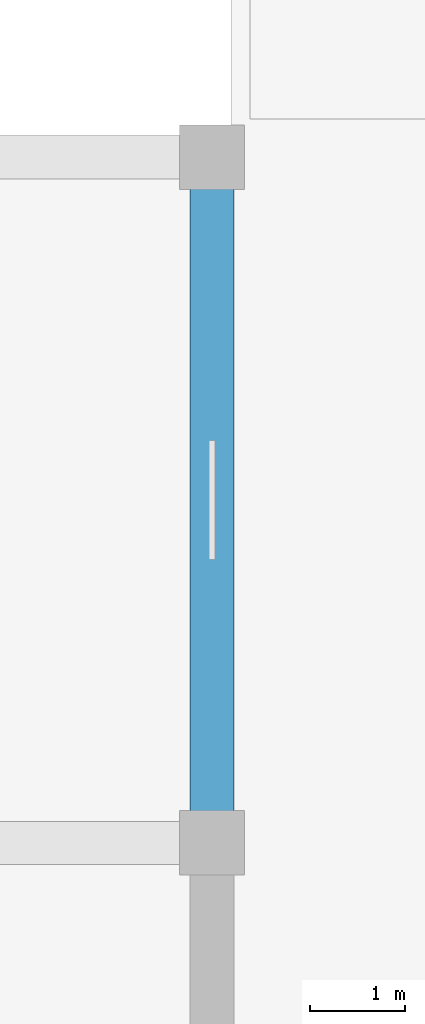
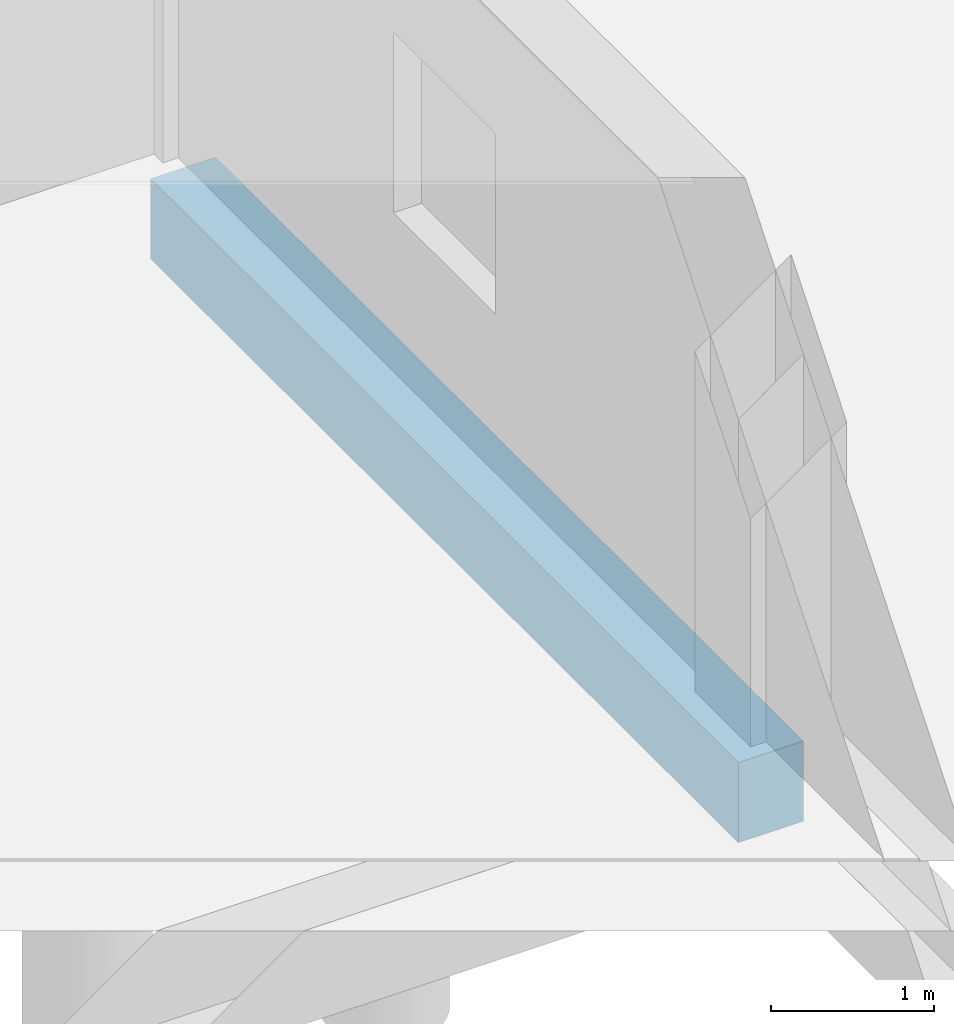
# One storey, part 30 of 98: 1 beam.
"""IFC4 building model written with IfcOpenShell, lengths in metres."""

from ifc_helpers import new_model, si_unit, direction, frame, origin, origin_2d, place, context, subcontext, project, spatial, rectangle, extrude, material, material_profile, profile_set, type_object, element, save


model = new_model("IFC4")

# Units and contexts
model_context = context("Model", 3, precision=1e-05, world=origin(), true_north=direction((0.0, 1.0)))
body_context = subcontext(model_context, "Body", "Model", "MODEL_VIEW")
ifc_project = project(units=[si_unit("LENGTHUNIT", "METRE"), si_unit("AREAUNIT", "SQUARE_METRE"), si_unit("VOLUMEUNIT", "CUBIC_METRE"), si_unit("PLANEANGLEUNIT", "RADIAN"), si_unit("MASSUNIT", "GRAM", prefix="KILO")], contexts=[model_context])

# Site, building, storey
site_placement = place(None, origin())
site = spatial("IfcSite", under=ifc_project, at=site_placement, CompositionType="ELEMENT")
building_placement = place(site_placement, origin())
building = spatial("IfcBuilding", under=site, at=building_placement, Name="Zornivar Specialist Clinic", CompositionType="ELEMENT")
storey_placement = place(building_placement, origin())
storey = spatial("IfcBuildingStorey", under=building, at=storey_placement, Name="L00", CompositionType="ELEMENT", Elevation=0.0)

# Beam
ifc_material = material(Name="Concrete C30/37", Category="concrete")
ifc_material_profile = material_profile(ifc_material, rectangle(XDim=0.4599609375, YDim=0.60009765625, at=origin_2d()), Name="RC 460x600")
ifc_profile_set = profile_set([ifc_material_profile], Name="Concrete C30/37")
beam_type = type_object("IfcBeamType", Name="BM-RC-SPANDREL-460x600", PredefinedType="SPANDREL", material=ifc_profile_set)
beam_placement = place(storey_placement, frame((93.60009765625, 14.39990234375, -0.64990234375), z_axis=(0.0, 1.0, 0.0), x_axis=(-1.0, 0.0, 0.0)))
element("IfcBeam", 1, at=beam_placement, inside=storey, type_object=beam_type, Name="bm:V3:L00:y:936:2", PredefinedType="SPANDREL", context=body_context, shape_type="SweptSolid", body=[
    extrude(rectangle(XDim=0.4599609375, YDim=0.60009765625, at=origin_2d()), origin(), (0.0, 0.0, 1.0), 7.2001953125),
])

save(model, "model.ifc")
